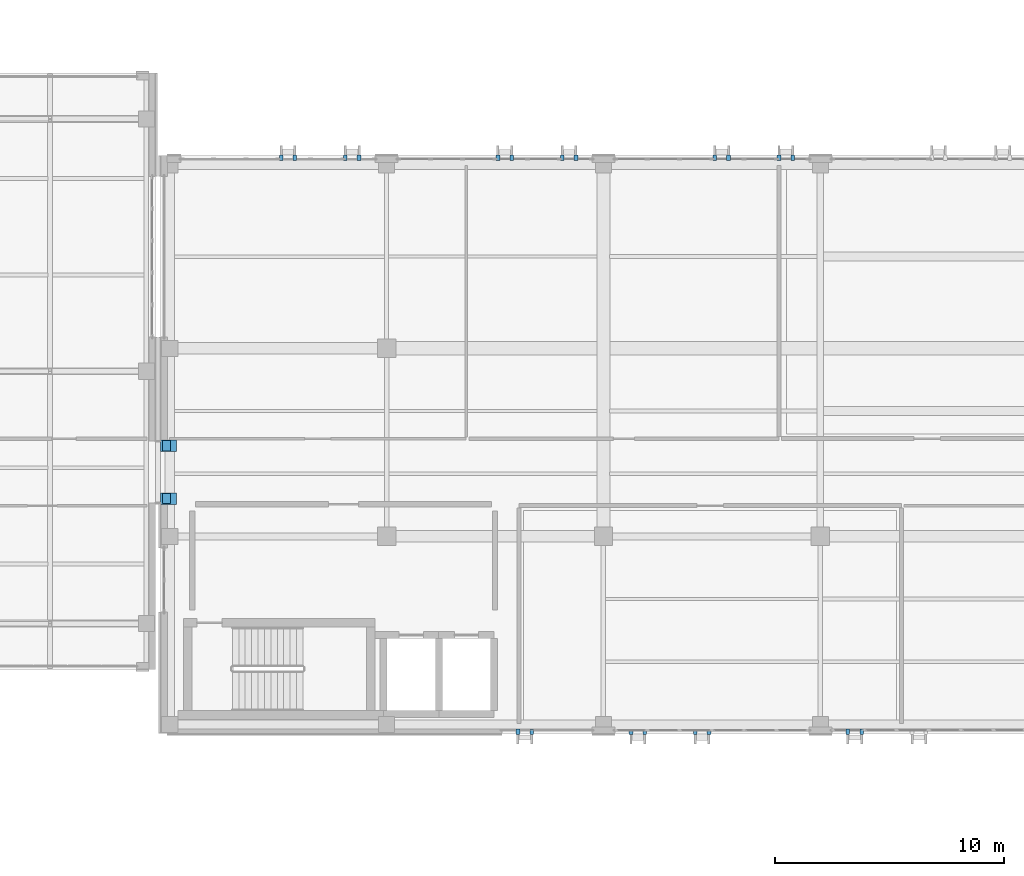
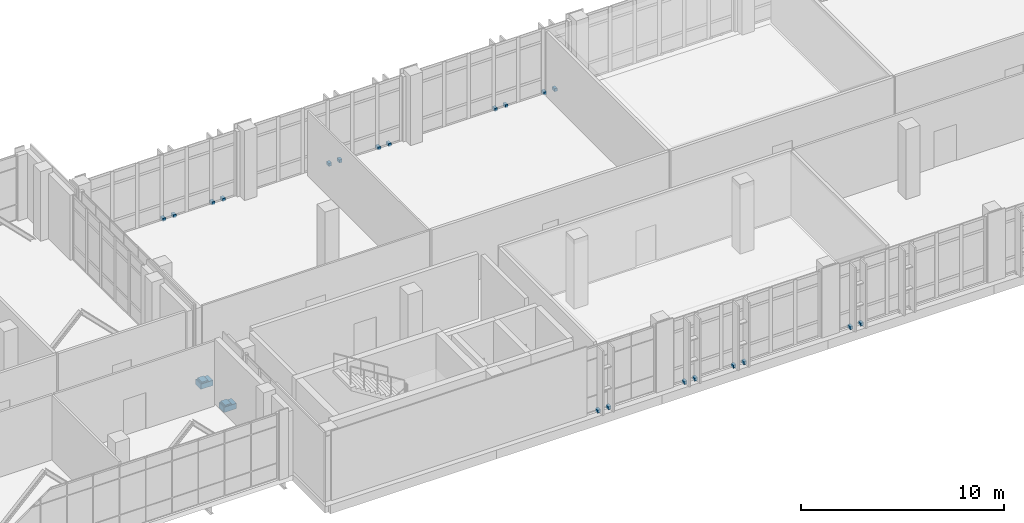
# One storey, part 141 of 165: 24 discrete accessories.
"""IFC4 building model written with IfcOpenShell, lengths in metres."""

from ifc_helpers import new_model, si_unit, direction, frame, origin, origin_2d, place, context, subcontext, project, spatial, rectangle, extrude, material, type_object, element, save


model = new_model("IFC4")

# Units and contexts
model_context = context("Model", 3, precision=1e-05, world=origin(), true_north=direction((0.0, 1.0)))
body_context = subcontext(model_context, "Body", "Model", "MODEL_VIEW")
ifc_project = project(units=[si_unit("LENGTHUNIT", "METRE"), si_unit("AREAUNIT", "SQUARE_METRE"), si_unit("VOLUMEUNIT", "CUBIC_METRE"), si_unit("PLANEANGLEUNIT", "RADIAN"), si_unit("MASSUNIT", "GRAM", prefix="KILO")], contexts=[model_context])

# Site, building, storey
site_placement = place(None, origin())
site = spatial("IfcSite", under=ifc_project, at=site_placement, CompositionType="ELEMENT")
building_placement = place(site_placement, origin())
building = spatial("IfcBuilding", under=site, at=building_placement, Name="Qalavern Law Courts", CompositionType="ELEMENT")
storey_placement = place(building_placement, frame((0.0, 0.0, 14.39990234375)))
storey = spatial("IfcBuildingStorey", under=building, at=storey_placement, Name="L03", CompositionType="ELEMENT", Elevation=14.39990234375)

# Discrete accessories
ifc_material_1 = material(Name="Steel S355", Category="steel")
discrete_accessory_type_1 = type_object("IfcDiscreteAccessoryType", Name="ENV-BRK-FIN", PredefinedType="BRACKET", material=ifc_material_1)
for number, where, z_axis, x_axis, name in (
    (1, (49.800048828125, 5.28759765625, -0.06982421875), (0.0, 0.0, 1.0), (0.0, -1.0, 0.0), "Stone blade anchor bracket 0097"),
    (2, (50.39990234375, 5.28759765625, -0.06982421875), (0.0, 0.0, 1.0), (0.0, -1.0, 0.0), "Stone blade anchor bracket 0098"),
    (3, (54.728515625, 5.28759765625, -0.06982421875), (0.0, 0.0, 1.0), (0.0, -1.0, 0.0), "Stone blade anchor bracket 0099"),
    (4, (55.32861328125, 5.28759765625, -0.06982421875), (0.0, 0.0, 1.0), (0.0, -1.0, 0.0), "Stone blade anchor bracket 0100"),
    (5, (57.528564453125, 5.28759765625, -0.06982421875), (0.0, 0.0, 1.0), (0.0, -1.0, 0.0), "Stone blade anchor bracket 0101"),
    (6, (58.128662109375, 5.28759765625, -0.06982421875), (0.0, 0.0, 1.0), (0.0, -1.0, 0.0), "Stone blade anchor bracket 0102"),
    (7, (64.182861328125, 5.28759765625, -0.06982421875), (0.0, 0.0, 1.0), (0.0, -1.0, 0.0), "Stone blade anchor bracket 0103"),
    (8, (64.782958984375, 5.28759765625, -0.06982421875), (0.0, 0.0, 1.0), (0.0, -1.0, 0.0), "Stone blade anchor bracket 0104"),
    (9, (61.782958984375, 30.3125, -0.06982421875), (0.0, 0.0, 1.0), (0.0, 1.0, 0.0), "Stone blade anchor bracket 0133"),
    (10, (61.182861328125, 30.3125, -0.06982421875), (0.0, 0.0, 1.0), (0.0, 1.0, 0.0), "Stone blade anchor bracket 0134"),
    (11, (58.98291015625, 30.3125, -0.06982421875), (0.0, 0.0, 1.0), (0.0, 1.0, 0.0), "Stone blade anchor bracket 0135"),
    (12, (58.3828125, 30.3125, -0.06982421875), (0.0, 0.0, 1.0), (0.0, 1.0, 0.0), "Stone blade anchor bracket 0136"),
    (13, (52.32861328125, 30.3125, -0.06982421875), (0.0, 0.0, 1.0), (0.0, 1.0, 0.0), "Stone blade anchor bracket 0137"),
    (14, (51.728515625, 30.3125, -0.06982421875), (0.0, 0.0, 1.0), (0.0, 1.0, 0.0), "Stone blade anchor bracket 0138"),
    (15, (49.528564453125, 30.3125, -0.06982421875), (0.0, 0.0, 1.0), (0.0, 1.0, 0.0), "Stone blade anchor bracket 0139"),
    (16, (48.9287109375, 30.3125, -0.06982421875), (0.0, 0.0, 1.0), (0.0, 1.0, 0.0), "Stone blade anchor bracket 0140"),
    (17, (42.874267578125, 30.3125, -0.06982421875), (0.0, 0.0, 1.0), (0.0, 1.0, 0.0), "Stone blade anchor bracket 0141"),
    (18, (42.2744140625, 30.3125, -0.06982421875), (0.0, 0.0, 1.0), (0.0, 1.0, 0.0), "Stone blade anchor bracket 0142"),
    (19, (40.07421875, 30.3125, -0.06982421875), (0.0, 0.0, 1.0), (0.0, 1.0, 0.0), "Stone blade anchor bracket 0143"),
    (20, (39.474365234375, 30.3125, -0.06982421875), (0.0, 0.0, 1.0), (0.0, 1.0, 0.0), "Stone blade anchor bracket 0144"),
):
    element("IfcDiscreteAccessory", number, at=place(storey_placement, frame(where, z_axis=z_axis, x_axis=x_axis)), inside=storey, type_object=discrete_accessory_type_1, Name=name, PredefinedType="BRACKET", context=body_context, shape_type="SweptSolid", body=[
        extrude(rectangle(XDim=0.239990234375, YDim=0.159912109375, at=origin_2d()), origin(), (0.0, 0.0, 1.0), 0.179931640625),
    ])
ifc_material_2 = material(Name="Concrete C45/55", Category="concrete")
discrete_accessory_type_2 = type_object("IfcDiscreteAccessoryType", Name="STR-CORBEL-700", PredefinedType="BRACKET", material=ifc_material_2)
for number, where, z_axis, x_axis, name in (
    (21, (34.570068359375, 15.449951171875, -0.68505859375), (0.0, 0.0, 1.0), (1.0, 0.0, 0.0), "Bridge BR-V1-V2 700 mm corbel seat 1 L03"),
    (22, (34.570068359375, 17.75, -0.68505859375), (0.0, 0.0, 1.0), (1.0, 0.0, 0.0), "Bridge BR-V1-V2 700 mm corbel seat 2 L03"),
):
    element("IfcDiscreteAccessory", number, at=place(storey_placement, frame(where, z_axis=z_axis, x_axis=x_axis)), inside=storey, type_object=discrete_accessory_type_2, Name=name, PredefinedType="BRACKET", context=body_context, shape_type="SweptSolid", body=[
        extrude(rectangle(XDim=0.699951171875, YDim=0.5, at=origin_2d()), origin(), (0.0, 0.0, 1.0), 0.320068359375),
    ])
discrete_accessory_type_3 = type_object("IfcDiscreteAccessoryType", Name="STR-SHOE-PTFE350", PredefinedType="SHOE", material=ifc_material_1)
for number, where, z_axis, x_axis, name in (
    (23, (34.469970703125, 15.449951171875, -0.364990234375), (0.0, 0.0, 1.0), (1.0, 0.0, 0.0), "Seismic bridge PTFE sliding bearing 09"),
    (24, (34.469970703125, 17.75, -0.364990234375), (0.0, 0.0, 1.0), (1.0, 0.0, 0.0), "Seismic bridge PTFE sliding bearing 10"),
):
    element("IfcDiscreteAccessory", number, at=place(storey_placement, frame(where, z_axis=z_axis, x_axis=x_axis)), inside=storey, type_object=discrete_accessory_type_3, Name=name, PredefinedType="SHOE", context=body_context, shape_type="SweptSolid", body=[
        extrude(rectangle(XDim=0.35009765625, YDim=0.449951171875, at=origin_2d()), origin(), (0.0, 0.0, 1.0), 0.080078125),
    ])

save(model, "model.ifc")
